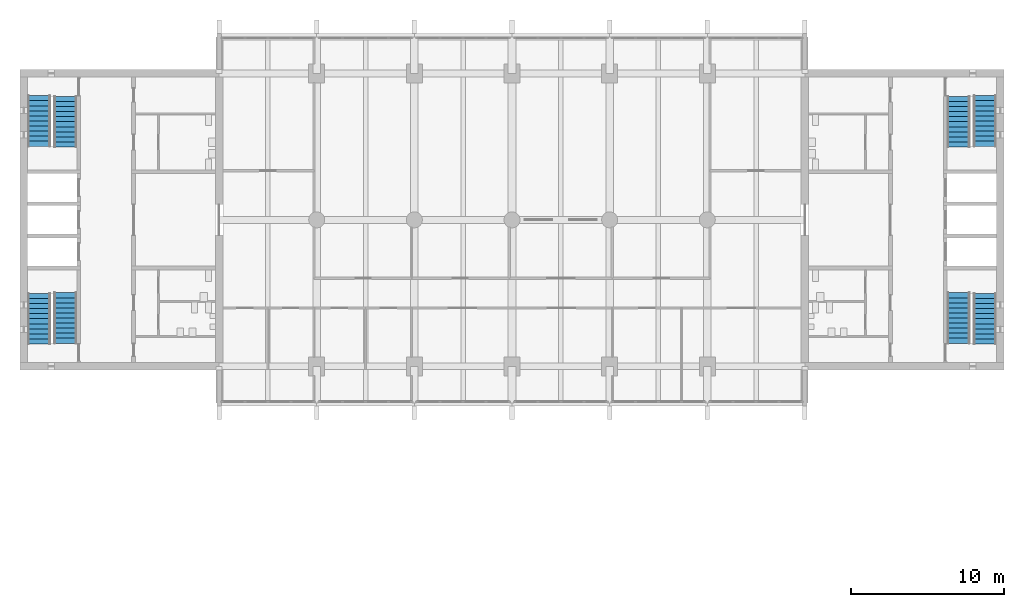
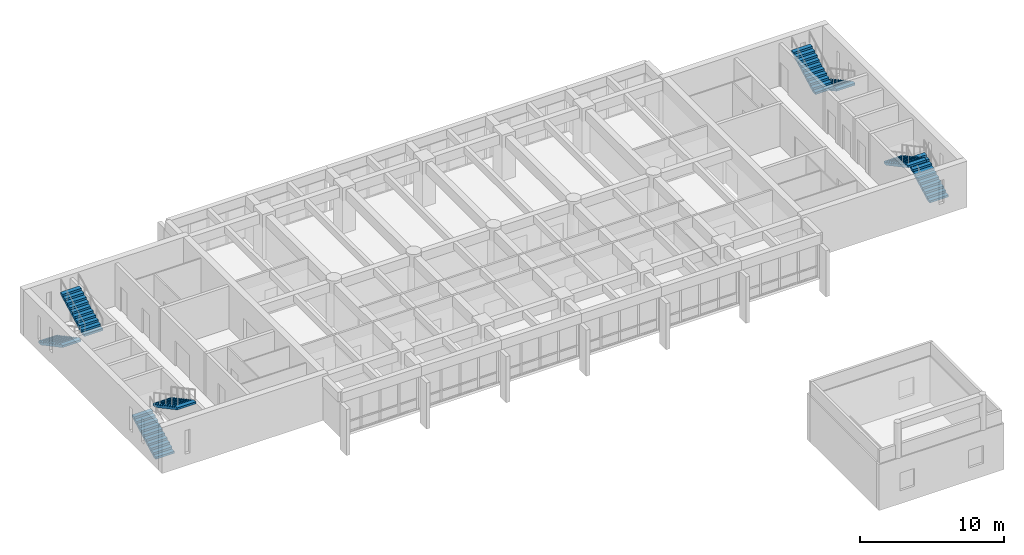
# One storey, part 15 of 19: 8 stair flights, 4 elements without a shape of their own.
"""IFC4 building model written with IfcOpenShell, lengths in metres."""

from ifc_helpers import new_model, si_unit, direction, frame, origin, place, context, subcontext, project, spatial, polyline, outline, extrude, material, type_object, element, aggregate, save


model = new_model("IFC4")

# Units and contexts
model_context = context("Model", 3, precision=1e-05, world=origin(), true_north=direction((0.0, 1.0)))
body_context = subcontext(model_context, "Body", "Model", "MODEL_VIEW")
ifc_project = project(units=[si_unit("LENGTHUNIT", "METRE"), si_unit("AREAUNIT", "SQUARE_METRE"), si_unit("VOLUMEUNIT", "CUBIC_METRE"), si_unit("PLANEANGLEUNIT", "RADIAN"), si_unit("MASSUNIT", "GRAM", prefix="KILO")], contexts=[model_context])

# Site, building, storey
site_placement = place(None, origin())
site = spatial("IfcSite", under=ifc_project, at=site_placement, CompositionType="ELEMENT")
building_placement = place(site_placement, origin())
building = spatial("IfcBuilding", under=site, at=building_placement, Name="Fogon Plaza Fire Station and Headquarters Tower", CompositionType="ELEMENT")
storey_placement = place(building_placement, frame((0.0, 0.0, 24.89990234375)))
storey = spatial("IfcBuildingStorey", under=building, at=storey_placement, Name="L06", CompositionType="ELEMENT", Elevation=24.89990234375)

# Stair, stair flights
ifc_material_1 = material(Name="Concrete C40", Category="concrete")
stair_type = type_object("IfcStairType", Name="Exit Stair Two Flights", PredefinedType="TWO_STRAIGHT_RUN_STAIR", material=ifc_material_1)
stair_1_placement = place(storey_placement, origin())
stair_1 = element("IfcStair", 1, at=stair_1_placement, inside=storey, type_object=stair_type, Name="Stair ST1", PredefinedType="TWO_STRAIGHT_RUN_STAIR")
ifc_material_2 = material(Name="Concrete C40", Category="concrete")
stair_flight_type = type_object("IfcStairFlightType", Name="Stair Flight 11 Risers", PredefinedType="STRAIGHT", material=ifc_material_2)
stair_flight_1_placement = place(storey_placement, frame((13.800048828125, 35.060791015625, 0.0), z_axis=(0.0, 0.0, 1.0), x_axis=(0.0, 1.0, 0.0)))
stair_flight_1 = element("IfcStairFlight", 2, at=stair_flight_1_placement, type_object=stair_flight_type, Name="ST1 flight F15", NumberOfRisers=11, NumberOfTreads=10, PredefinedType="STRAIGHT", RiserHeight=0.177272727, TreadLength=0.3315, context=body_context, shape_type="SweptSolid", body=[
    extrude(outline(polyline([(0.0, 0.0), (0.0, 0.17724609375), (0.33154296875, 0.17724609375), (0.33154296875, 0.3544921875), (0.6630859375, 0.3544921875), (0.6630859375, 0.53173828125), (0.994384765625, 0.53173828125), (0.994384765625, 0.708984375), (1.325927734375, 0.708984375), (1.325927734375, 0.886474609375), (1.657470703125, 0.886474609375), (1.657470703125, 1.063720703125), (1.989013671875, 1.063720703125), (1.989013671875, 1.240966796875), (2.320556640625, 1.240966796875), (2.320556640625, 1.418212890625), (2.652099609375, 1.418212890625), (2.652099609375, 1.595458984375), (2.9833984375, 1.595458984375), (2.9833984375, 1.772705078125), (3.31494140625, 1.772705078125), (3.31494140625, 1.949951171875), (3.31494140625, 1.602783203125), (0.31787109375, 0.0), (0.0, 0.0)])), frame((0.0, 0.75, 0.0), z_axis=(0.0, -1.0, 0.0), x_axis=(1.0, 0.0, 0.0)), (0.0, 0.0, 1.0), 1.5),
])
stair_flight_2_placement = place(storey_placement, frame((15.52490234375, 38.42431640625, 1.9501953125), z_axis=(0.0, 0.0, 1.0), x_axis=(0.0, -1.0, 0.0)))
stair_flight_2 = element("IfcStairFlight", 3, at=stair_flight_2_placement, type_object=stair_flight_type, Name="ST1 flight F16", NumberOfRisers=11, NumberOfTreads=10, PredefinedType="STRAIGHT", RiserHeight=0.177272727, TreadLength=0.3315, context=body_context, shape_type="SweptSolid", body=[
    extrude(outline(polyline([(0.0, 0.0), (0.0, 0.17724609375), (0.33154296875, 0.17724609375), (0.33154296875, 0.3544921875), (0.6630859375, 0.3544921875), (0.6630859375, 0.53173828125), (0.994384765625, 0.53173828125), (0.994384765625, 0.708984375), (1.325927734375, 0.708984375), (1.325927734375, 0.886474609375), (1.657470703125, 0.886474609375), (1.657470703125, 1.063720703125), (1.989013671875, 1.063720703125), (1.989013671875, 1.240966796875), (2.320556640625, 1.240966796875), (2.320556640625, 1.418212890625), (2.652099609375, 1.418212890625), (2.652099609375, 1.595458984375), (2.9833984375, 1.595458984375), (2.9833984375, 1.772705078125), (3.31494140625, 1.772705078125), (3.31494140625, 1.949951171875), (3.31494140625, 1.602783203125), (0.31787109375, 0.0), (0.0, 0.0)])), frame((0.0, 0.75, 0.0), z_axis=(0.0, -1.0, 0.0), x_axis=(1.0, 0.0, 0.0)), (0.0, 0.0, 1.0), 1.5),
])
aggregate(stair_1, [stair_flight_1, stair_flight_2])

stair_2_placement = place(storey_placement, origin())
stair_2 = element("IfcStair", 4, at=stair_2_placement, inside=storey, type_object=stair_type, Name="Stair ST2", PredefinedType="TWO_STRAIGHT_RUN_STAIR")
stair_flight_3_placement = place(storey_placement, frame((13.800048828125, 51.33935546875, 0.0), z_axis=(0.0, 0.0, 1.0), x_axis=(0.0, -1.0, 0.0)))
stair_flight_3 = element("IfcStairFlight", 5, at=stair_flight_3_placement, type_object=stair_flight_type, Name="ST2 flight F15", NumberOfRisers=11, NumberOfTreads=10, PredefinedType="STRAIGHT", RiserHeight=0.177272727, TreadLength=0.3315, context=body_context, shape_type="SweptSolid", body=[
    extrude(outline(polyline([(0.0, 0.0), (0.0, 0.17724609375), (0.33154296875, 0.17724609375), (0.33154296875, 0.3544921875), (0.6630859375, 0.3544921875), (0.6630859375, 0.53173828125), (0.994384765625, 0.53173828125), (0.994384765625, 0.708984375), (1.325927734375, 0.708984375), (1.325927734375, 0.886474609375), (1.657470703125, 0.886474609375), (1.657470703125, 1.063720703125), (1.989013671875, 1.063720703125), (1.989013671875, 1.240966796875), (2.320556640625, 1.240966796875), (2.320556640625, 1.418212890625), (2.652099609375, 1.418212890625), (2.652099609375, 1.595458984375), (2.9833984375, 1.595458984375), (2.9833984375, 1.772705078125), (3.31494140625, 1.772705078125), (3.31494140625, 1.949951171875), (3.31494140625, 1.602783203125), (0.31787109375, 0.0), (0.0, 0.0)])), frame((0.0, 0.75, 0.0), z_axis=(0.0, -1.0, 0.0), x_axis=(1.0, 0.0, 0.0)), (0.0, 0.0, 1.0), 1.5),
])
stair_flight_4_placement = place(storey_placement, frame((15.52490234375, 47.975830078125, 1.9501953125), z_axis=(0.0, 0.0, 1.0), x_axis=(0.0, 1.0, 0.0)))
stair_flight_4 = element("IfcStairFlight", 6, at=stair_flight_4_placement, type_object=stair_flight_type, Name="ST2 flight F16", NumberOfRisers=11, NumberOfTreads=10, PredefinedType="STRAIGHT", RiserHeight=0.177272727, TreadLength=0.3315, context=body_context, shape_type="SweptSolid", body=[
    extrude(outline(polyline([(0.0, 0.0), (0.0, 0.17724609375), (0.33154296875, 0.17724609375), (0.33154296875, 0.3544921875), (0.6630859375, 0.3544921875), (0.6630859375, 0.53173828125), (0.994384765625, 0.53173828125), (0.994384765625, 0.708984375), (1.325927734375, 0.708984375), (1.325927734375, 0.886474609375), (1.657470703125, 0.886474609375), (1.657470703125, 1.063720703125), (1.989013671875, 1.063720703125), (1.989013671875, 1.240966796875), (2.320556640625, 1.240966796875), (2.320556640625, 1.418212890625), (2.652099609375, 1.418212890625), (2.652099609375, 1.595458984375), (2.9833984375, 1.595458984375), (2.9833984375, 1.772705078125), (3.31494140625, 1.772705078125), (3.31494140625, 1.949951171875), (3.31494140625, 1.602783203125), (0.31787109375, 0.0), (0.0, 0.0)])), frame((0.0, 0.75, 0.0), z_axis=(0.0, -1.0, 0.0), x_axis=(1.0, 0.0, 0.0)), (0.0, 0.0, 1.0), 1.5),
])
aggregate(stair_2, [stair_flight_3, stair_flight_4])

stair_3_placement = place(storey_placement, origin())
stair_3 = element("IfcStair", 7, at=stair_3_placement, inside=storey, type_object=stair_type, Name="Stair ST3", PredefinedType="TWO_STRAIGHT_RUN_STAIR")
stair_flight_5_placement = place(storey_placement, frame((75.800048828125, 35.060791015625, 0.0), z_axis=(0.0, 0.0, 1.0), x_axis=(0.0, 1.0, 0.0)))
stair_flight_5 = element("IfcStairFlight", 8, at=stair_flight_5_placement, type_object=stair_flight_type, Name="ST3 flight F15", NumberOfRisers=11, NumberOfTreads=10, PredefinedType="STRAIGHT", RiserHeight=0.177272727, TreadLength=0.3315, context=body_context, shape_type="SweptSolid", body=[
    extrude(outline(polyline([(0.0, 0.0), (0.0, 0.17724609375), (0.33154296875, 0.17724609375), (0.33154296875, 0.3544921875), (0.6630859375, 0.3544921875), (0.6630859375, 0.53173828125), (0.994384765625, 0.53173828125), (0.994384765625, 0.708984375), (1.325927734375, 0.708984375), (1.325927734375, 0.886474609375), (1.657470703125, 0.886474609375), (1.657470703125, 1.063720703125), (1.989013671875, 1.063720703125), (1.989013671875, 1.240966796875), (2.320556640625, 1.240966796875), (2.320556640625, 1.418212890625), (2.652099609375, 1.418212890625), (2.652099609375, 1.595458984375), (2.9833984375, 1.595458984375), (2.9833984375, 1.772705078125), (3.31494140625, 1.772705078125), (3.31494140625, 1.949951171875), (3.31494140625, 1.602783203125), (0.31787109375, 0.0), (0.0, 0.0)])), frame((0.0, 0.75, 0.0), z_axis=(0.0, -1.0, 0.0), x_axis=(1.0, 0.0, 0.0)), (0.0, 0.0, 1.0), 1.5),
])
stair_flight_6_placement = place(storey_placement, frame((74.074951171875, 38.42431640625, 1.9501953125), z_axis=(0.0, 0.0, 1.0), x_axis=(0.0, -1.0, 0.0)))
stair_flight_6 = element("IfcStairFlight", 9, at=stair_flight_6_placement, type_object=stair_flight_type, Name="ST3 flight F16", NumberOfRisers=11, NumberOfTreads=10, PredefinedType="STRAIGHT", RiserHeight=0.177272727, TreadLength=0.3315, context=body_context, shape_type="SweptSolid", body=[
    extrude(outline(polyline([(0.0, 0.0), (0.0, 0.17724609375), (0.33154296875, 0.17724609375), (0.33154296875, 0.3544921875), (0.6630859375, 0.3544921875), (0.6630859375, 0.53173828125), (0.994384765625, 0.53173828125), (0.994384765625, 0.708984375), (1.325927734375, 0.708984375), (1.325927734375, 0.886474609375), (1.657470703125, 0.886474609375), (1.657470703125, 1.063720703125), (1.989013671875, 1.063720703125), (1.989013671875, 1.240966796875), (2.320556640625, 1.240966796875), (2.320556640625, 1.418212890625), (2.652099609375, 1.418212890625), (2.652099609375, 1.595458984375), (2.9833984375, 1.595458984375), (2.9833984375, 1.772705078125), (3.31494140625, 1.772705078125), (3.31494140625, 1.949951171875), (3.31494140625, 1.602783203125), (0.31787109375, 0.0), (0.0, 0.0)])), frame((0.0, 0.75, 0.0), z_axis=(0.0, -1.0, 0.0), x_axis=(1.0, 0.0, 0.0)), (0.0, 0.0, 1.0), 1.5),
])
aggregate(stair_3, [stair_flight_5, stair_flight_6])

stair_4_placement = place(storey_placement, origin())
stair_4 = element("IfcStair", 10, at=stair_4_placement, inside=storey, type_object=stair_type, Name="Stair ST4", PredefinedType="TWO_STRAIGHT_RUN_STAIR")
stair_flight_7_placement = place(storey_placement, frame((75.800048828125, 51.33935546875, 0.0), z_axis=(0.0, 0.0, 1.0), x_axis=(0.0, -1.0, 0.0)))
stair_flight_7 = element("IfcStairFlight", 11, at=stair_flight_7_placement, type_object=stair_flight_type, Name="ST4 flight F15", NumberOfRisers=11, NumberOfTreads=10, PredefinedType="STRAIGHT", RiserHeight=0.177272727, TreadLength=0.3315, context=body_context, shape_type="SweptSolid", body=[
    extrude(outline(polyline([(0.0, 0.0), (0.0, 0.17724609375), (0.33154296875, 0.17724609375), (0.33154296875, 0.3544921875), (0.6630859375, 0.3544921875), (0.6630859375, 0.53173828125), (0.994384765625, 0.53173828125), (0.994384765625, 0.708984375), (1.325927734375, 0.708984375), (1.325927734375, 0.886474609375), (1.657470703125, 0.886474609375), (1.657470703125, 1.063720703125), (1.989013671875, 1.063720703125), (1.989013671875, 1.240966796875), (2.320556640625, 1.240966796875), (2.320556640625, 1.418212890625), (2.652099609375, 1.418212890625), (2.652099609375, 1.595458984375), (2.9833984375, 1.595458984375), (2.9833984375, 1.772705078125), (3.31494140625, 1.772705078125), (3.31494140625, 1.949951171875), (3.31494140625, 1.602783203125), (0.31787109375, 0.0), (0.0, 0.0)])), frame((0.0, 0.75, 0.0), z_axis=(0.0, -1.0, 0.0), x_axis=(1.0, 0.0, 0.0)), (0.0, 0.0, 1.0), 1.5),
])
stair_flight_8_placement = place(storey_placement, frame((74.074951171875, 47.975830078125, 1.9501953125), z_axis=(0.0, 0.0, 1.0), x_axis=(0.0, 1.0, 0.0)))
stair_flight_8 = element("IfcStairFlight", 12, at=stair_flight_8_placement, type_object=stair_flight_type, Name="ST4 flight F16", NumberOfRisers=11, NumberOfTreads=10, PredefinedType="STRAIGHT", RiserHeight=0.177272727, TreadLength=0.3315, context=body_context, shape_type="SweptSolid", body=[
    extrude(outline(polyline([(0.0, 0.0), (0.0, 0.17724609375), (0.33154296875, 0.17724609375), (0.33154296875, 0.3544921875), (0.6630859375, 0.3544921875), (0.6630859375, 0.53173828125), (0.994384765625, 0.53173828125), (0.994384765625, 0.708984375), (1.325927734375, 0.708984375), (1.325927734375, 0.886474609375), (1.657470703125, 0.886474609375), (1.657470703125, 1.063720703125), (1.989013671875, 1.063720703125), (1.989013671875, 1.240966796875), (2.320556640625, 1.240966796875), (2.320556640625, 1.418212890625), (2.652099609375, 1.418212890625), (2.652099609375, 1.595458984375), (2.9833984375, 1.595458984375), (2.9833984375, 1.772705078125), (3.31494140625, 1.772705078125), (3.31494140625, 1.949951171875), (3.31494140625, 1.602783203125), (0.31787109375, 0.0), (0.0, 0.0)])), frame((0.0, 0.75, 0.0), z_axis=(0.0, -1.0, 0.0), x_axis=(1.0, 0.0, 0.0)), (0.0, 0.0, 1.0), 1.5),
])
aggregate(stair_4, [stair_flight_7, stair_flight_8])

save(model, "model.ifc")
